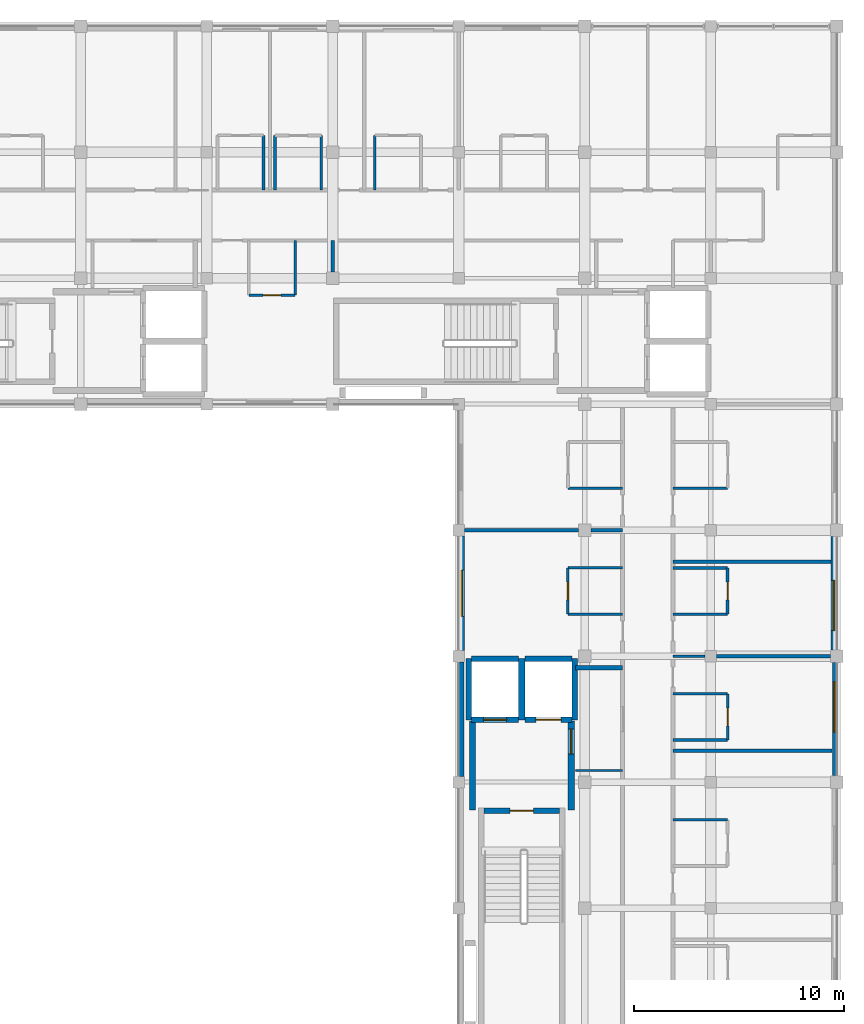
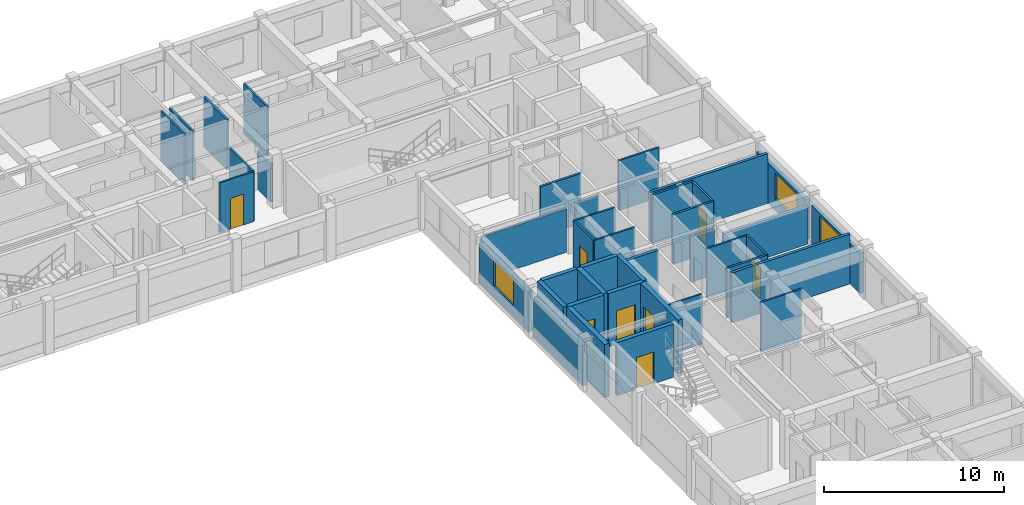
# One storey, part 16 of 25: 41 walls, 8 doors, 3 windows, 11 openings.
"""IFC4 building model written with IfcOpenShell, lengths in metres."""

from ifc_helpers import new_model, si_unit, direction, frame, frame_2d, origin, place, context, subcontext, project, spatial, rectangle, extrude, material, layer, layer_set, type_object, element, fill, save


model = new_model("IFC4")

# Units and contexts
model_context = context("Model", 3, precision=1e-05, world=origin(), true_north=direction((0.0, 1.0)))
body_context = subcontext(model_context, "Body", "Model", "MODEL_VIEW")
ifc_project = project(units=[si_unit("LENGTHUNIT", "METRE"), si_unit("AREAUNIT", "SQUARE_METRE"), si_unit("VOLUMEUNIT", "CUBIC_METRE"), si_unit("PLANEANGLEUNIT", "RADIAN"), si_unit("MASSUNIT", "GRAM", prefix="KILO"), si_unit("THERMODYNAMICTEMPERATUREUNIT", "KELVIN"), si_unit("POWERUNIT", "WATT")], contexts=[model_context])

# Site, building, storey
site_placement = place(None, origin())
site = spatial("IfcSite", under=ifc_project, at=site_placement, CompositionType="ELEMENT")
building_placement = place(site_placement, origin())
building = spatial("IfcBuilding", under=site, at=building_placement, Name="Phaisarnlok Congress Hotel", CompositionType="ELEMENT")
storey_placement = place(building_placement, frame((0.0, 0.0, 24.60009765625)))
storey = spatial("IfcBuildingStorey", under=building, at=storey_placement, Name="L05", CompositionType="ELEMENT", Elevation=24.60009765625)

# Wall, opening, window
ifc_material_1 = material(Name="Concrete C40/50", Category="concrete")
ifc_layer_1 = layer(ifc_material_1, 0.2099609375, Name="Concrete C40/50")
ifc_layer_set_1 = layer_set([ifc_layer_1], Name="Concrete C40/50")
wall_type_1 = type_object("IfcWallType", Name="WL-EXT-210", PredefinedType="SOLIDWALL", material=ifc_layer_set_1)
wall_1_placement = place(storey_placement, frame((179.89501953125, 90.304931640625, 0.0), z_axis=(0.0, 0.0, 1.0), x_axis=(0.0, 1.0, 0.0)))
wall_1 = element("IfcWall", 1, at=wall_1_placement, inside=storey, type_object=wall_type_1, Name="Exterior wall EW-07 (L05)", PredefinedType="SOLIDWALL", context=body_context, shape_type="SweptSolid", body=[
    extrude(rectangle(XDim=5.39013671875, YDim=0.2099609375, at=frame_2d((2.695068359375, 0.0))), origin(), (0.0, 0.0, 1.0), 2.72998046875),
])
opening_1_placement = place(wall_1_placement, frame((2.08203125, 0.0, 0.800048828125)))
opening_1 = element("IfcOpeningElement", 2, at=opening_1_placement, cuts=wall_1, Name="Opening W-01", PredefinedType="OPENING", context=body_context, shape_type="SweptSolid", body=[
    extrude(rectangle(XDim=2.39990234375, YDim=1.75, at=frame_2d((1.199951171875, 0.875))), frame((0.0, 0.114990234375, 0.0), z_axis=(0.0, -1.0, 0.0), x_axis=(1.0, 0.0, 0.0)), (0.0, 0.0, 1.0), 0.22998046875),
])
ifc_material_2 = material(Name="Thermally Broken Aluminium & Low-E Double Glazing", Category="aluminium")
window_type_1 = type_object("IfcWindowType", Name="WIN-HOTEL-2400", PartitioningType="SINGLE_PANEL", PredefinedType="WINDOW", material=ifc_material_2)
window_1_placement = place(opening_1_placement, origin())
window_1 = element("IfcWindow", 3, at=window_1_placement, inside=storey, type_object=window_type_1, Name="Guestroom window W-01 (L05)", OverallHeight=1.75, OverallWidth=2.39990234375, PartitioningType="SINGLE_PANEL", PredefinedType="WINDOW", context=body_context, shape_type="SweptSolid", body=[
    extrude(rectangle(XDim=2.39990234375, YDim=1.75, at=frame_2d((1.199951171875, 0.875))), frame((0.0, 0.030029296875, 0.0), z_axis=(0.0, -1.0, 0.0), x_axis=(1.0, 0.0, 0.0)), (0.0, 0.0, 1.0), 0.06005859375),
])
fill(opening_1, window_1)

# Wall
ifc_layer_2 = layer(ifc_material_1, 0.25, Name="Concrete C40/50")
ifc_layer_set_2 = layer_set([ifc_layer_2], Name="Concrete C40/50")
wall_type_2 = type_object("IfcWallType", Name="WL-EXT-250", PredefinedType="SOLIDWALL", material=ifc_layer_set_2)
wall_2_placement = place(storey_placement, frame((162.125, 95.719970703125, 0.0), z_axis=(0.0, 0.0, 1.0), x_axis=(0.0, -1.0, 0.0)))
element("IfcWall", 4, at=wall_2_placement, inside=storey, type_object=wall_type_2, Name="Exterior wall EW-05 (L05)", PredefinedType="SOLIDWALL", context=body_context, shape_type="SweptSolid", body=[
    extrude(rectangle(XDim=5.43994140625, YDim=0.25, at=frame_2d((2.719970703125, 0.0))), origin(), (0.0, 0.0, 1.0), 2.72998046875),
])

# Wall, opening, window
ifc_layer_3 = layer(ifc_material_1, 0.27001953125, Name="Concrete C40/50")
ifc_layer_set_3 = layer_set([ifc_layer_3], Name="Concrete C40/50")
wall_type_3 = type_object("IfcWallType", Name="WL-EXT-270", PredefinedType="SOLIDWALL", material=ifc_layer_set_3)
wall_3_placement = place(storey_placement, frame((179.864990234375, 96.304931640625, 0.0), z_axis=(0.0, 0.0, 1.0), x_axis=(0.0, 1.0, 0.0)))
wall_3 = element("IfcWall", 5, at=wall_3_placement, inside=storey, type_object=wall_type_3, Name="Exterior wall EW-04 (L05)", PredefinedType="SOLIDWALL", context=body_context, shape_type="SweptSolid", body=[
    extrude(rectangle(XDim=5.39013671875, YDim=0.27001953125, at=frame_2d((2.695068359375, 0.0))), origin(), (0.0, 0.0, 1.0), 2.72998046875),
])
opening_2_placement = place(wall_3_placement, frame((0.906982421875, 0.0, 0.800048828125)))
opening_2 = element("IfcOpeningElement", 6, at=opening_2_placement, cuts=wall_3, Name="Opening W-01", PredefinedType="OPENING", context=body_context, shape_type="SweptSolid", body=[
    extrude(rectangle(XDim=2.39990234375, YDim=1.75, at=frame_2d((1.199951171875, 0.875))), frame((0.0, 0.14501953125, 0.0), z_axis=(0.0, -1.0, 0.0), x_axis=(1.0, 0.0, 0.0)), (0.0, 0.0, 1.0), 0.2900390625),
])
window_2_placement = place(opening_2_placement, origin())
window_2 = element("IfcWindow", 7, at=window_2_placement, inside=storey, type_object=window_type_1, Name="Guestroom window W-01 (L05)", OverallHeight=1.75, OverallWidth=2.39990234375, PartitioningType="SINGLE_PANEL", PredefinedType="WINDOW", context=body_context, shape_type="SweptSolid", body=[
    extrude(rectangle(XDim=2.39990234375, YDim=1.75, at=frame_2d((1.199951171875, 0.875))), frame((0.0, 0.030029296875, 0.0), z_axis=(0.0, -1.0, 0.0), x_axis=(1.0, 0.0, 0.0)), (0.0, 0.0, 1.0), 0.06005859375),
])
fill(opening_2, window_2)

wall_4_placement = place(storey_placement, frame((162.135009765625, 101.719970703125, 0.0), z_axis=(0.0, 0.0, 1.0), x_axis=(0.0, -1.0, 0.0)))
wall_4 = element("IfcWall", 8, at=wall_4_placement, inside=storey, type_object=wall_type_3, Name="Exterior wall EW-04 (L05)", PredefinedType="SOLIDWALL", context=body_context, shape_type="SweptSolid", body=[
    extrude(rectangle(XDim=5.43994140625, YDim=0.27001953125, at=frame_2d((2.719970703125, 0.0))), origin(), (0.0, 0.0, 1.0), 2.72998046875),
])
opening_3_placement = place(wall_4_placement, frame((1.6201171875, 0.0, 0.800048828125)))
opening_3 = element("IfcOpeningElement", 9, at=opening_3_placement, cuts=wall_4, Name="Opening W-02", PredefinedType="OPENING", context=body_context, shape_type="SweptSolid", body=[
    extrude(rectangle(XDim=2.199951171875, YDim=1.75, at=frame_2d((1.10009765625, 0.875))), frame((0.0, 0.14501953125, 0.0), z_axis=(0.0, -1.0, 0.0), x_axis=(1.0, 0.0, 0.0)), (0.0, 0.0, 1.0), 0.2900390625),
])
window_type_2 = type_object("IfcWindowType", Name="WIN-HOTEL-2200", PartitioningType="SINGLE_PANEL", PredefinedType="WINDOW", material=ifc_material_2)
window_3_placement = place(opening_3_placement, origin())
window_3 = element("IfcWindow", 10, at=window_3_placement, inside=storey, type_object=window_type_2, Name="Guestroom window W-02 (L05)", OverallHeight=1.75, OverallWidth=2.199951171875, PartitioningType="SINGLE_PANEL", PredefinedType="WINDOW", context=body_context, shape_type="SweptSolid", body=[
    extrude(rectangle(XDim=2.199951171875, YDim=1.75, at=frame_2d((1.10009765625, 0.875))), frame((0.0, 0.030029296875, 0.0), z_axis=(0.0, -1.0, 0.0), x_axis=(1.0, 0.0, 0.0)), (0.0, 0.0, 1.0), 0.06005859375),
])
fill(opening_3, window_3)

# Walls
ifc_material_3 = material(Name="Service Riser Shaftwall Partition", Category="gypsum")
ifc_layer_4 = layer(ifc_material_3, 0.10498046875, Name="Service Riser Shaftwall Partition")
ifc_layer_set_4 = layer_set([ifc_layer_4], Name="Service Riser Shaftwall Partition")
wall_type_4 = type_object("IfcWallType", Name="WL-INT-105", PredefinedType="PARTITIONING", material=ifc_layer_set_4)
wall_5_placement = place(storey_placement, frame((167.56005859375, 90.550048828125, 0.0), z_axis=(0.0, 0.0, 1.0), x_axis=(1.0, 0.0, 0.0)))
element("IfcWall", 11, at=wall_5_placement, inside=storey, type_object=wall_type_4, Name="Interior partition wall IW-08 (L05)", PredefinedType="PARTITIONING", context=body_context, shape_type="SweptSolid", body=[
    extrude(rectangle(XDim=2.239990234375, YDim=0.10498046875, at=frame_2d((1.1201171875, 0.0))), origin(), (0.0, 0.0, 1.0), 3.3798828125),
])
wall_6_placement = place(storey_placement, frame((172.199951171875, 96.0, 0.0), z_axis=(0.0, 0.0, 1.0), x_axis=(1.0, 0.0, 0.0)))
element("IfcWall", 12, at=wall_6_placement, inside=storey, type_object=wall_type_4, Name="Interior partition wall IW-08 (L05)", PredefinedType="PARTITIONING", context=body_context, shape_type="SweptSolid", body=[
    extrude(rectangle(XDim=1.52001953125, YDim=0.10498046875, at=frame_2d((0.760009765625, 0.0))), origin(), (0.0, 0.0, 1.0), 3.08984375),
])
ifc_material_4 = material(Name="Lightweight Metal-Stud Gypsum Partition", Category="gypsum")
ifc_layer_5 = layer(ifc_material_4, 0.1201171875, Name="Lightweight Metal-Stud Gypsum Partition")
ifc_layer_set_5 = layer_set([ifc_layer_5], Name="Lightweight Metal-Stud Gypsum Partition")
wall_type_5 = type_object("IfcWallType", Name="WL-INT-120", PredefinedType="PARTITIONING", material=ifc_layer_set_5)
for number, where, z_axis, x_axis, name in (
    (13, (154.199951171875, 113.199951171875, 0.0), (0.0, 0.0, 1.0), (0.0, 1.0, 0.0), "Interior partition wall IW-07 (L05)"),
    (14, (158.0, 118.199951171875, 0.0), (0.0, 0.0, 1.0), (0.0, 1.0, 0.0), "Interior partition wall IW-07 (L05)"),
):
    element("IfcWall", number, at=place(storey_placement, frame(where, z_axis=z_axis, x_axis=x_axis)), inside=storey, type_object=wall_type_5, Name=name, PredefinedType="PARTITIONING", context=body_context, shape_type="SweptSolid", body=[
        extrude(rectangle(XDim=2.60009765625, YDim=0.1201171875, at=frame_2d((1.300048828125, 0.0))), origin(), (0.0, 0.0, 1.0), 3.3798828125),
    ])

# Wall, opening, door
wall_7_placement = place(storey_placement, frame((167.199951171875, 98.0, 0.0), z_axis=(0.0, 0.0, 1.0), x_axis=(0.0, 1.0, 0.0)))
wall_7 = element("IfcWall", 15, at=wall_7_placement, inside=storey, type_object=wall_type_5, Name="Interior partition wall IW-07 (L05)", PredefinedType="PARTITIONING", context=body_context, shape_type="SweptSolid", body=[
    extrude(rectangle(XDim=2.199951171875, YDim=0.1201171875, at=frame_2d((1.10009765625, 0.0))), origin(), (0.0, 0.0, 1.0), 3.3798828125),
])
opening_4_placement = place(wall_7_placement, frame((0.675048828125, 0.0, 0.0)))
opening_4 = element("IfcOpeningElement", 16, at=opening_4_placement, cuts=wall_7, Name="Opening D-0222", PredefinedType="OPENING", context=body_context, shape_type="SweptSolid", body=[
    extrude(rectangle(XDim=0.85009765625, YDim=2.10009765625, at=frame_2d((0.425048828125, 1.050048828125))), frame((0.0, 0.070068359375, 0.0), z_axis=(0.0, -1.0, 0.0), x_axis=(1.0, 0.0, 0.0)), (0.0, 0.0, 1.0), 0.14013671875),
])
ifc_material_5 = material(Name="Moisture-Resistant Lacquered Timber", Category="wood")
door_type_1 = type_object("IfcDoorType", Name="DR-BATH-850", OperationType="NOTDEFINED", PredefinedType="DOOR", material=ifc_material_5)
door_1_placement = place(opening_4_placement, origin())
door_1 = element("IfcDoor", 17, at=door_1_placement, inside=storey, type_object=door_type_1, Name="Interior door D-0222 (L05)", OperationType="SINGLE_SWING_RIGHT", OverallHeight=2.10009765625, OverallWidth=0.85009765625, PredefinedType="DOOR", context=body_context, shape_type="SweptSolid", body=[
    extrude(rectangle(XDim=0.85009765625, YDim=2.10009765625, at=frame_2d((0.425048828125, 1.050048828125))), frame((0.0, 0.02490234375, 0.0), z_axis=(0.0, -1.0, 0.0), x_axis=(1.0, 0.0, 0.0)), (0.0, 0.0, 1.0), 0.050048828125),
])
fill(opening_4, door_1)

wall_8_placement = place(storey_placement, frame((174.800048828125, 92.0, 0.0), z_axis=(0.0, 0.0, 1.0), x_axis=(0.0, 1.0, 0.0)))
wall_8 = element("IfcWall", 18, at=wall_8_placement, inside=storey, type_object=wall_type_5, Name="Interior partition wall IW-07 (L05)", PredefinedType="PARTITIONING", context=body_context, shape_type="SweptSolid", body=[
    extrude(rectangle(XDim=2.199951171875, YDim=0.1201171875, at=frame_2d((1.10009765625, 0.0))), origin(), (0.0, 0.0, 1.0), 3.3798828125),
])
opening_5_placement = place(wall_8_placement, frame((0.675048828125, 0.0, 0.0)))
opening_5 = element("IfcOpeningElement", 19, at=opening_5_placement, cuts=wall_8, Name="Opening D-0203", PredefinedType="OPENING", context=body_context, shape_type="SweptSolid", body=[
    extrude(rectangle(XDim=0.85009765625, YDim=2.10009765625, at=frame_2d((0.425048828125, 1.050048828125))), frame((0.0, 0.070068359375, 0.0), z_axis=(0.0, -1.0, 0.0), x_axis=(1.0, 0.0, 0.0)), (0.0, 0.0, 1.0), 0.14013671875),
])
door_2_placement = place(opening_5_placement, origin())
door_2 = element("IfcDoor", 20, at=door_2_placement, inside=storey, type_object=door_type_1, Name="Interior door D-0203 (L05)", OperationType="SINGLE_SWING_LEFT", OverallHeight=2.10009765625, OverallWidth=0.85009765625, PredefinedType="DOOR", context=body_context, shape_type="SweptSolid", body=[
    extrude(rectangle(XDim=0.85009765625, YDim=2.10009765625, at=frame_2d((0.425048828125, 1.050048828125))), frame((0.0, 0.02490234375, 0.0), z_axis=(0.0, -1.0, 0.0), x_axis=(1.0, 0.0, 0.0)), (0.0, 0.0, 1.0), 0.050048828125),
])
fill(opening_5, door_2)

# Walls
for number, where, z_axis, x_axis, name in (
    (21, (172.199951171875, 88.199951171875, 0.0), (0.0, 0.0, 1.0), (1.0, 0.0, 0.0), "Interior partition wall IW-07 (L05)"),
    (22, (172.199951171875, 94.199951171875, 0.0), (0.0, 0.0, 1.0), (1.0, 0.0, 0.0), "Interior partition wall IW-07 (L05)"),
    (23, (167.199951171875, 98.0, 0.0), (0.0, 0.0, 1.0), (1.0, 0.0, 0.0), "Interior partition wall IW-07 (L05)"),
    (24, (167.199951171875, 100.199951171875, 0.0), (0.0, 0.0, 1.0), (1.0, 0.0, 0.0), "Interior partition wall IW-07 (L05)"),
    (25, (172.199951171875, 104.0, 0.0), (0.0, 0.0, 1.0), (1.0, 0.0, 0.0), "Interior partition wall IW-07 (L05)"),
):
    element("IfcWall", number, at=place(storey_placement, frame(where, z_axis=z_axis, x_axis=x_axis)), inside=storey, type_object=wall_type_5, Name=name, PredefinedType="PARTITIONING", context=body_context, shape_type="SweptSolid", body=[
        extrude(rectangle(XDim=2.60009765625, YDim=0.1201171875, at=frame_2d((1.300048828125, 0.0))), origin(), (0.0, 0.0, 1.0), 3.3798828125),
    ])

# Wall, opening, door
wall_9_placement = place(storey_placement, frame((152.0, 113.199951171875, 0.0), z_axis=(0.0, 0.0, 1.0), x_axis=(1.0, 0.0, 0.0)))
wall_9 = element("IfcWall", 26, at=wall_9_placement, inside=storey, type_object=wall_type_5, Name="Interior partition wall IW-07 (L05)", PredefinedType="PARTITIONING", context=body_context, shape_type="SweptSolid", body=[
    extrude(rectangle(XDim=2.199951171875, YDim=0.1201171875, at=frame_2d((1.10009765625, 0.0))), origin(), (0.0, 0.0, 1.0), 3.3798828125),
])
opening_6_placement = place(wall_9_placement, frame((0.675048828125, 0.0, 0.0)))
opening_6 = element("IfcOpeningElement", 27, at=opening_6_placement, cuts=wall_9, Name="Opening D-0185", PredefinedType="OPENING", context=body_context, shape_type="SweptSolid", body=[
    extrude(rectangle(XDim=0.85009765625, YDim=2.10009765625, at=frame_2d((0.425048828125, 1.050048828125))), frame((0.0, 0.070068359375, 0.0), z_axis=(0.0, -1.0, 0.0), x_axis=(1.0, 0.0, 0.0)), (0.0, 0.0, 1.0), 0.14013671875),
])
door_3_placement = place(opening_6_placement, origin())
door_3 = element("IfcDoor", 28, at=door_3_placement, inside=storey, type_object=door_type_1, Name="Interior door D-0185 (L05)", OperationType="SINGLE_SWING_LEFT", OverallHeight=2.10009765625, OverallWidth=0.85009765625, PredefinedType="DOOR", context=body_context, shape_type="SweptSolid", body=[
    extrude(rectangle(XDim=0.85009765625, YDim=2.10009765625, at=frame_2d((0.425048828125, 1.050048828125))), frame((0.0, 0.02490234375, 0.0), z_axis=(0.0, -1.0, 0.0), x_axis=(1.0, 0.0, 0.0)), (0.0, 0.0, 1.0), 0.050048828125),
])
fill(opening_6, door_3)

# Walls
ifc_material_6 = material(Name="Moisture-Resistant Gypsum Partition", Category="gypsum")
ifc_layer_6 = layer(ifc_material_6, 0.135009765625, Name="Moisture-Resistant Gypsum Partition")
ifc_layer_set_6 = layer_set([ifc_layer_6], Name="Moisture-Resistant Gypsum Partition")
wall_type_6 = type_object("IfcWallType", Name="WL-INT-135", PredefinedType="PARTITIONING", material=ifc_layer_set_6)
for number, where, z_axis, x_axis, name in (
    (29, (152.699951171875, 118.199951171875, 0.0), (0.0, 0.0, 1.0), (0.0, 1.0, 0.0), "Interior partition wall IW-06 (L05)"),
    (30, (153.25, 118.199951171875, 0.0), (0.0, 0.0, 1.0), (0.0, 1.0, 0.0), "Interior partition wall IW-06 (L05)"),
    (31, (155.449951171875, 118.199951171875, 0.0), (0.0, 0.0, 1.0), (0.0, 1.0, 0.0), "Interior partition wall IW-06 (L05)"),
):
    element("IfcWall", number, at=place(storey_placement, frame(where, z_axis=z_axis, x_axis=x_axis)), inside=storey, type_object=wall_type_6, Name=name, PredefinedType="PARTITIONING", context=body_context, shape_type="SweptSolid", body=[
        extrude(rectangle(XDim=2.60009765625, YDim=0.135009765625, at=frame_2d((1.300048828125, 0.0))), origin(), (0.0, 0.0, 1.0), 3.3798828125),
    ])

# Wall, opening, door
wall_10_placement = place(storey_placement, frame((174.800048828125, 98.0, 0.0), z_axis=(0.0, 0.0, 1.0), x_axis=(0.0, 1.0, 0.0)))
wall_10 = element("IfcWall", 32, at=wall_10_placement, inside=storey, type_object=wall_type_6, Name="Interior partition wall IW-06 (L05)", PredefinedType="PARTITIONING", context=body_context, shape_type="SweptSolid", body=[
    extrude(rectangle(XDim=2.199951171875, YDim=0.135009765625, at=frame_2d((1.10009765625, 0.0))), origin(), (0.0, 0.0, 1.0), 3.3798828125),
])
opening_7_placement = place(wall_10_placement, frame((0.675048828125, 0.0, 0.0)))
opening_7 = element("IfcOpeningElement", 33, at=opening_7_placement, cuts=wall_10, Name="Opening D-0205", PredefinedType="OPENING", context=body_context, shape_type="SweptSolid", body=[
    extrude(rectangle(XDim=0.85009765625, YDim=2.10009765625, at=frame_2d((0.425048828125, 1.050048828125))), frame((0.0, 0.07763671875, 0.0), z_axis=(0.0, -1.0, 0.0), x_axis=(1.0, 0.0, 0.0)), (0.0, 0.0, 1.0), 0.155029296875),
])
door_4_placement = place(opening_7_placement, origin())
door_4 = element("IfcDoor", 34, at=door_4_placement, inside=storey, type_object=door_type_1, Name="Interior door D-0205 (L05)", OperationType="SINGLE_SWING_LEFT", OverallHeight=2.10009765625, OverallWidth=0.85009765625, PredefinedType="DOOR", context=body_context, shape_type="SweptSolid", body=[
    extrude(rectangle(XDim=0.85009765625, YDim=2.10009765625, at=frame_2d((0.425048828125, 1.050048828125))), frame((0.0, 0.02490234375, 0.0), z_axis=(0.0, -1.0, 0.0), x_axis=(1.0, 0.0, 0.0)), (0.0, 0.0, 1.0), 0.050048828125),
])
fill(opening_7, door_4)

# Walls
for number, where, z_axis, x_axis, name in (
    (35, (172.199951171875, 92.0, 0.0), (0.0, 0.0, 1.0), (1.0, 0.0, 0.0), "Interior partition wall IW-06 (L05)"),
    (36, (172.199951171875, 98.0, 0.0), (0.0, 0.0, 1.0), (1.0, 0.0, 0.0), "Interior partition wall IW-06 (L05)"),
    (37, (172.199951171875, 100.199951171875, 0.0), (0.0, 0.0, 1.0), (1.0, 0.0, 0.0), "Interior partition wall IW-06 (L05)"),
    (38, (167.199951171875, 104.0, 0.0), (0.0, 0.0, 1.0), (1.0, 0.0, 0.0), "Interior partition wall IW-06 (L05)"),
):
    element("IfcWall", number, at=place(storey_placement, frame(where, z_axis=z_axis, x_axis=x_axis)), inside=storey, type_object=wall_type_6, Name=name, PredefinedType="PARTITIONING", context=body_context, shape_type="SweptSolid", body=[
        extrude(rectangle(XDim=2.60009765625, YDim=0.135009765625, at=frame_2d((1.300048828125, 0.0))), origin(), (0.0, 0.0, 1.0), 3.3798828125),
    ])
ifc_material_7 = material(Name="Acoustic Gypsum Board & Mineral Wool", Category="gypsum")
ifc_layer_7 = layer(ifc_material_7, 0.14990234375, Name="Acoustic Gypsum Board & Mineral Wool")
ifc_layer_set_7 = layer_set([ifc_layer_7], Name="Acoustic Gypsum Board & Mineral Wool")
wall_type_7 = type_object("IfcWallType", Name="WL-INT-150", PredefinedType="PARTITIONING", material=ifc_layer_set_7)
wall_11_placement = place(storey_placement, frame((168.304931640625, 102.0, 0.0), z_axis=(0.0, 0.0, 1.0), x_axis=(1.0, 0.0, 0.0)))
element("IfcWall", 39, at=wall_11_placement, inside=storey, type_object=wall_type_7, Name="Interior partition wall IW-05 (L05)", PredefinedType="PARTITIONING", context=body_context, shape_type="SweptSolid", body=[
    extrude(rectangle(XDim=1.4951171875, YDim=0.14990234375, at=frame_2d((0.74755859375, 0.0))), origin(), (0.0, 0.0, 1.0), 3.08984375),
])
ifc_material_8 = material(Name="Double-Stud Acoustic Gypsum Partition", Category="gypsum")
ifc_layer_8 = layer(ifc_material_8, 0.159912109375, Name="Double-Stud Acoustic Gypsum Partition")
ifc_layer_set_8 = layer_set([ifc_layer_8], Name="Double-Stud Acoustic Gypsum Partition")
wall_type_8 = type_object("IfcWallType", Name="WL-INT-160", PredefinedType="PARTITIONING", material=ifc_layer_set_8)
wall_12_placement = place(storey_placement, frame((156.0, 114.304931640625, 0.0), z_axis=(0.0, 0.0, 1.0), x_axis=(0.0, 1.0, 0.0)))
element("IfcWall", 40, at=wall_12_placement, inside=storey, type_object=wall_type_8, Name="Interior partition wall IW-04 (L05)", PredefinedType="PARTITIONING", context=body_context, shape_type="SweptSolid", body=[
    extrude(rectangle(XDim=1.4951171875, YDim=0.159912109375, at=frame_2d((0.74755859375, 0.0))), origin(), (0.0, 0.0, 1.0), 2.579833984375),
])
wall_13_placement = place(storey_placement, frame((162.280029296875, 102.0, 0.0), z_axis=(0.0, 0.0, 1.0), x_axis=(1.0, 0.0, 0.0)))
element("IfcWall", 41, at=wall_13_placement, inside=storey, type_object=wall_type_8, Name="Interior partition wall IW-04 (L05)", PredefinedType="PARTITIONING", context=body_context, shape_type="SweptSolid", body=[
    extrude(rectangle(XDim=5.4150390625, YDim=0.159912109375, at=frame_2d((2.70751953125, 0.0))), origin(), (0.0, 0.0, 1.0), 2.929931640625),
])
ifc_material_9 = material(Name="Autoclaved Aerated Concrete Block", Category="concrete")
ifc_layer_9 = layer(ifc_material_9, 0.179931640625, Name="Autoclaved Aerated Concrete Block")
ifc_layer_set_9 = layer_set([ifc_layer_9], Name="Autoclaved Aerated Concrete Block")
wall_type_9 = type_object("IfcWallType", Name="WL-INT-180", PredefinedType="PARTITIONING", material=ifc_layer_set_9)
wall_14_placement = place(storey_placement, frame((172.199951171875, 91.5, 0.0), z_axis=(0.0, 0.0, 1.0), x_axis=(1.0, 0.0, 0.0)))
element("IfcWall", 42, at=wall_14_placement, inside=storey, type_object=wall_type_9, Name="Interior partition wall IW-03 (L05)", PredefinedType="PARTITIONING", context=body_context, shape_type="SweptSolid", body=[
    extrude(rectangle(XDim=7.5849609375, YDim=0.179931640625, at=frame_2d((3.79248046875, 0.0))), origin(), (0.0, 0.0, 1.0), 3.3798828125),
])
wall_15_placement = place(storey_placement, frame((174.280029296875, 96.0, 0.0), z_axis=(0.0, 0.0, 1.0), x_axis=(1.0, 0.0, 0.0)))
element("IfcWall", 43, at=wall_15_placement, inside=storey, type_object=wall_type_9, Name="Interior partition wall IW-03 (L05)", PredefinedType="PARTITIONING", context=body_context, shape_type="SweptSolid", body=[
    extrude(rectangle(XDim=5.4150390625, YDim=0.179931640625, at=frame_2d((2.70751953125, 0.0))), origin(), (0.0, 0.0, 1.0), 2.579833984375),
])
wall_16_placement = place(storey_placement, frame((172.199951171875, 100.5, 0.0), z_axis=(0.0, 0.0, 1.0), x_axis=(1.0, 0.0, 0.0)))
element("IfcWall", 44, at=wall_16_placement, inside=storey, type_object=wall_type_9, Name="Interior partition wall IW-03 (L05)", PredefinedType="PARTITIONING", context=body_context, shape_type="SweptSolid", body=[
    extrude(rectangle(XDim=7.525146484375, YDim=0.179931640625, at=frame_2d((3.7626953125, 0.0))), origin(), (0.0, 0.0, 1.0), 3.3798828125),
])
ifc_layer_10 = layer(ifc_material_9, 0.199951171875, Name="Autoclaved Aerated Concrete Block")
ifc_layer_set_10 = layer_set([ifc_layer_10], Name="Autoclaved Aerated Concrete Block")
wall_type_10 = type_object("IfcWallType", Name="WL-INT-200", PredefinedType="PARTITIONING", material=ifc_layer_set_10)
wall_17_placement = place(storey_placement, frame((167.56005859375, 95.449951171875, 0.0), z_axis=(0.0, 0.0, 1.0), x_axis=(1.0, 0.0, 0.0)))
element("IfcWall", 45, at=wall_17_placement, inside=storey, type_object=wall_type_10, Name="Interior partition wall IW-02 (L05)", PredefinedType="PARTITIONING", context=body_context, shape_type="SweptSolid", body=[
    extrude(rectangle(XDim=2.239990234375, YDim=0.199951171875, at=frame_2d((1.1201171875, 0.0))), origin(), (0.0, 0.0, 1.0), 3.3798828125),
])

# Wall, opening, door
ifc_material_10 = material(Name="Concrete C50/60", Category="concrete")
ifc_layer_11 = layer(ifc_material_10, 0.260009765625, Name="Concrete C50/60")
ifc_layer_set_11 = layer_set([ifc_layer_11], Name="Concrete C50/60")
wall_type_11 = type_object("IfcWallType", Name="WL-SHR-260", PredefinedType="SHEAR", material=ifc_layer_set_11)
wall_18_placement = place(storey_placement, frame((163.199951171875, 88.6298828125, 0.0), z_axis=(0.0, 0.0, 1.0), x_axis=(1.0, 0.0, 0.0)))
wall_18 = element("IfcWall", 46, at=wall_18_placement, inside=storey, type_object=wall_type_11, Name="Stair shaft shear wall SW-04 (CORE-3 L05)", PredefinedType="SHEAR", context=body_context, shape_type="SweptSolid", body=[
    extrude(rectangle(XDim=3.60009765625, YDim=0.260009765625, at=frame_2d((1.800048828125, 0.0))), origin(), (0.0, 0.0, 1.0), 3.599853515625),
])
opening_8_placement = place(wall_18_placement, frame((1.25, 0.0, 0.0)))
opening_8 = element("IfcOpeningElement", 47, at=opening_8_placement, cuts=wall_18, Name="Opening FD-067", PredefinedType="OPENING", context=body_context, shape_type="SweptSolid", body=[
    extrude(rectangle(XDim=1.10009765625, YDim=2.14990234375, at=frame_2d((0.550048828125, 1.074951171875))), frame((0.0, 0.14013671875, 0.0), z_axis=(0.0, -1.0, 0.0), x_axis=(1.0, 0.0, 0.0)), (0.0, 0.0, 1.0), 0.280029296875),
])
ifc_material_11 = material(Name="Fire-Rated Steel Frame & Timber Leaf", Category="steel")
door_type_2 = type_object("IfcDoorType", Name="DR-FD60-1100", OperationType="NOTDEFINED", PredefinedType="DOOR", material=ifc_material_11)
door_5_placement = place(opening_8_placement, origin())
door_5 = element("IfcDoor", 48, at=door_5_placement, inside=storey, type_object=door_type_2, Name="Stair enclosure fire door FD-067 (L05)", OperationType="SINGLE_SWING_RIGHT", OverallHeight=2.14990234375, OverallWidth=1.10009765625, PredefinedType="DOOR", context=body_context, shape_type="SweptSolid", body=[
    extrude(rectangle(XDim=1.10009765625, YDim=2.14990234375, at=frame_2d((0.550048828125, 1.074951171875))), frame((0.0, 0.02490234375, 0.0), z_axis=(0.0, -1.0, 0.0), x_axis=(1.0, 0.0, 0.0)), (0.0, 0.0, 1.0), 0.050048828125),
])
fill(opening_8, door_5)

# Walls
wall_19_placement = place(storey_placement, frame((162.469970703125, 92.969970703125, 0.0), z_axis=(0.0, 0.0, 1.0), x_axis=(0.0, 1.0, 0.0)))
element("IfcWall", 49, at=wall_19_placement, inside=storey, type_object=wall_type_11, Name="Lift shaft shear wall SW-04 (LF-HP3 L05)", PredefinedType="SHEAR", context=body_context, shape_type="SweptSolid", body=[
    extrude(rectangle(XDim=2.909912109375, YDim=0.260009765625, at=frame_2d((1.455078125, 0.0))), origin(), (0.0, 0.0, 1.0), 3.599853515625),
])
wall_20_placement = place(storey_placement, frame((162.60009765625, 95.8798828125, 0.0), z_axis=(0.0, 0.0, 1.0), x_axis=(1.0, 0.0, 0.0)))
element("IfcWall", 50, at=wall_20_placement, inside=storey, type_object=wall_type_11, Name="Lift shaft shear wall SW-04 (LF-HP3 L05)", PredefinedType="SHEAR", context=body_context, shape_type="SweptSolid", body=[
    extrude(rectangle(XDim=2.25, YDim=0.260009765625, at=frame_2d((1.125, 0.0))), origin(), (0.0, 0.0, 1.0), 3.599853515625),
])

# Wall, opening, door
wall_21_placement = place(storey_placement, frame((162.60009765625, 92.969970703125, 0.0), z_axis=(0.0, 0.0, 1.0), x_axis=(1.0, 0.0, 0.0)))
wall_21 = element("IfcWall", 51, at=wall_21_placement, inside=storey, type_object=wall_type_11, Name="Lift shaft front wall SW-04 (LF-HP3 L05)", PredefinedType="SHEAR", context=body_context, shape_type="SweptSolid", body=[
    extrude(rectangle(XDim=2.25, YDim=0.260009765625, at=frame_2d((1.125, 0.0))), origin(), (0.0, 0.0, 1.0), 3.599853515625),
])
opening_9_placement = place(wall_21_placement, frame((0.574951171875, 0.0, 0.0)))
opening_9 = element("IfcOpeningElement", 52, at=opening_9_placement, cuts=wall_21, Name="Opening LD-067", PredefinedType="OPENING", context=body_context, shape_type="SweptSolid", body=[
    extrude(rectangle(XDim=1.10009765625, YDim=2.199951171875, at=frame_2d((0.550048828125, 1.10009765625))), frame((0.0, 0.14013671875, 0.0), z_axis=(0.0, -1.0, 0.0), x_axis=(1.0, 0.0, 0.0)), (0.0, 0.0, 1.0), 0.280029296875),
])
ifc_material_12 = material(Name="Brushed Stainless Steel Grade 304", Category="steel")
door_type_3 = type_object("IfcDoorType", Name="DR-LD-1100", OperationType="DOUBLE_DOOR_SLIDING", PredefinedType="DOOR", material=ifc_material_12)
door_6_placement = place(opening_9_placement, origin())
door_6 = element("IfcDoor", 53, at=door_6_placement, inside=storey, type_object=door_type_3, Name="Lift landing sliding door LD-067 (LF-HP3 L05)", OperationType="DOUBLE_DOOR_SLIDING", OverallHeight=2.199951171875, OverallWidth=1.10009765625, PredefinedType="DOOR", context=body_context, shape_type="SweptSolid", body=[
    extrude(rectangle(XDim=1.10009765625, YDim=2.199951171875, at=frame_2d((0.550048828125, 1.10009765625))), frame((0.0, 0.02490234375, 0.0), z_axis=(0.0, -1.0, 0.0), x_axis=(1.0, 0.0, 0.0)), (0.0, 0.0, 1.0), 0.050048828125),
])
fill(opening_9, door_6)

# Walls
wall_22_placement = place(storey_placement, frame((167.530029296875, 92.969970703125, 0.0), z_axis=(0.0, 0.0, 1.0), x_axis=(0.0, 1.0, 0.0)))
element("IfcWall", 54, at=wall_22_placement, inside=storey, type_object=wall_type_11, Name="Lift shaft shear wall SW-04 (LF-SV1 L05)", PredefinedType="SHEAR", context=body_context, shape_type="SweptSolid", body=[
    extrude(rectangle(XDim=2.909912109375, YDim=0.260009765625, at=frame_2d((1.455078125, 0.0))), origin(), (0.0, 0.0, 1.0), 3.599853515625),
])
wall_23_placement = place(storey_placement, frame((165.14990234375, 95.8798828125, 0.0), z_axis=(0.0, 0.0, 1.0), x_axis=(1.0, 0.0, 0.0)))
element("IfcWall", 55, at=wall_23_placement, inside=storey, type_object=wall_type_11, Name="Lift shaft shear wall SW-04 (LF-SV1 L05)", PredefinedType="SHEAR", context=body_context, shape_type="SweptSolid", body=[
    extrude(rectangle(XDim=2.25, YDim=0.260009765625, at=frame_2d((1.125, 0.0))), origin(), (0.0, 0.0, 1.0), 3.599853515625),
])

# Wall, opening, door
wall_24_placement = place(storey_placement, frame((165.14990234375, 92.969970703125, 0.0), z_axis=(0.0, 0.0, 1.0), x_axis=(1.0, 0.0, 0.0)))
wall_24 = element("IfcWall", 56, at=wall_24_placement, inside=storey, type_object=wall_type_11, Name="Lift shaft front wall SW-04 (LF-SV1 L05)", PredefinedType="SHEAR", context=body_context, shape_type="SweptSolid", body=[
    extrude(rectangle(XDim=2.25, YDim=0.260009765625, at=frame_2d((1.125, 0.0))), origin(), (0.0, 0.0, 1.0), 3.599853515625),
])
opening_10_placement = place(wall_24_placement, frame((0.52490234375, 0.0, 0.0)))
opening_10 = element("IfcOpeningElement", 57, at=opening_10_placement, cuts=wall_24, Name="Opening LD-082", PredefinedType="OPENING", context=body_context, shape_type="SweptSolid", body=[
    extrude(rectangle(XDim=1.199951171875, YDim=2.25, at=frame_2d((0.60009765625, 1.125))), frame((0.0, 0.14013671875, 0.0), z_axis=(0.0, -1.0, 0.0), x_axis=(1.0, 0.0, 0.0)), (0.0, 0.0, 1.0), 0.280029296875),
])
door_type_4 = type_object("IfcDoorType", Name="DR-LD-1200", OperationType="DOUBLE_DOOR_SLIDING", PredefinedType="DOOR", material=ifc_material_12)
door_7_placement = place(opening_10_placement, origin())
door_7 = element("IfcDoor", 58, at=door_7_placement, inside=storey, type_object=door_type_4, Name="Lift landing sliding door LD-082 (LF-SV1 L05)", OperationType="DOUBLE_DOOR_SLIDING", OverallHeight=2.25, OverallWidth=1.199951171875, PredefinedType="DOOR", context=body_context, shape_type="SweptSolid", body=[
    extrude(rectangle(XDim=1.199951171875, YDim=2.25, at=frame_2d((0.60009765625, 1.125))), frame((0.0, 0.02490234375, 0.0), z_axis=(0.0, -1.0, 0.0), x_axis=(1.0, 0.0, 0.0)), (0.0, 0.0, 1.0), 0.050048828125),
])
fill(opening_10, door_7)

# Wall
ifc_layer_12 = layer(ifc_material_10, 0.300048828125, Name="Concrete C50/60")
ifc_layer_set_12 = layer_set([ifc_layer_12], Name="Concrete C50/60")
wall_type_12 = type_object("IfcWallType", Name="WL-SHR-300", PredefinedType="SHEAR", material=ifc_layer_set_12)
wall_25_placement = place(storey_placement, frame((165.0, 92.969970703125, 0.0), z_axis=(0.0, 0.0, 1.0), x_axis=(0.0, 1.0, 0.0)))
element("IfcWall", 59, at=wall_25_placement, inside=storey, type_object=wall_type_12, Name="Lift shaft divider shear wall SW-03 (LF-HP3 L05)", PredefinedType="SHEAR", context=body_context, shape_type="SweptSolid", body=[
    extrude(rectangle(XDim=2.909912109375, YDim=0.300048828125, at=frame_2d((1.455078125, 0.0))), origin(), (0.0, 0.0, 1.0), 3.599853515625),
])

# Wall, opening, door
wall_26_placement = place(storey_placement, frame((167.35009765625, 88.679931640625, 0.0), z_axis=(0.0, 0.0, 1.0), x_axis=(0.0, 1.0, 0.0)))
wall_26 = element("IfcWall", 60, at=wall_26_placement, inside=storey, type_object=wall_type_12, Name="Core lobby EI-120 wall SW-03 (CORE-3 L05)", PredefinedType="SHEAR", context=body_context, shape_type="SweptSolid", body=[
    extrude(rectangle(XDim=4.239990234375, YDim=0.300048828125, at=frame_2d((2.1201171875, 0.0))), origin(), (0.0, 0.0, 1.0), 3.599853515625),
])
opening_11_placement = place(wall_26_placement, frame((2.64990234375, 0.0, 0.0)))
opening_11 = element("IfcOpeningElement", 61, at=opening_11_placement, cuts=wall_26, Name="Opening FD-082", PredefinedType="OPENING", context=body_context, shape_type="SweptSolid", body=[
    extrude(rectangle(XDim=1.199951171875, YDim=2.199951171875, at=frame_2d((0.60009765625, 1.10009765625))), frame((0.0, 0.16015625, 0.0), z_axis=(0.0, -1.0, 0.0), x_axis=(1.0, 0.0, 0.0)), (0.0, 0.0, 1.0), 0.320068359375),
])
door_type_5 = type_object("IfcDoorType", Name="DR-FD60-1200", OperationType="NOTDEFINED", PredefinedType="DOOR", material=ifc_material_11)
door_8_placement = place(opening_11_placement, origin())
door_8 = element("IfcDoor", 62, at=door_8_placement, inside=storey, type_object=door_type_5, Name="Core lobby entrance door FD-082 (CORE-3 L05)", OperationType="SINGLE_SWING_LEFT", OverallHeight=2.199951171875, OverallWidth=1.199951171875, PredefinedType="DOOR", context=body_context, shape_type="SweptSolid", body=[
    extrude(rectangle(XDim=1.199951171875, YDim=2.199951171875, at=frame_2d((0.60009765625, 1.10009765625))), frame((0.0, 0.02490234375, 0.0), z_axis=(0.0, -1.0, 0.0), x_axis=(1.0, 0.0, 0.0)), (0.0, 0.0, 1.0), 0.050048828125),
])
fill(opening_11, door_8)

# Wall
wall_27_placement = place(storey_placement, frame((162.64990234375, 88.679931640625, 0.0), z_axis=(0.0, 0.0, 1.0), x_axis=(0.0, 1.0, 0.0)))
element("IfcWall", 63, at=wall_27_placement, inside=storey, type_object=wall_type_12, Name="Core lobby EI-120 wall SW-03 (CORE-3 L05)", PredefinedType="SHEAR", context=body_context, shape_type="SweptSolid", body=[
    extrude(rectangle(XDim=4.239990234375, YDim=0.300048828125, at=frame_2d((2.1201171875, 0.0))), origin(), (0.0, 0.0, 1.0), 3.599853515625),
])

save(model, "model.ifc")
